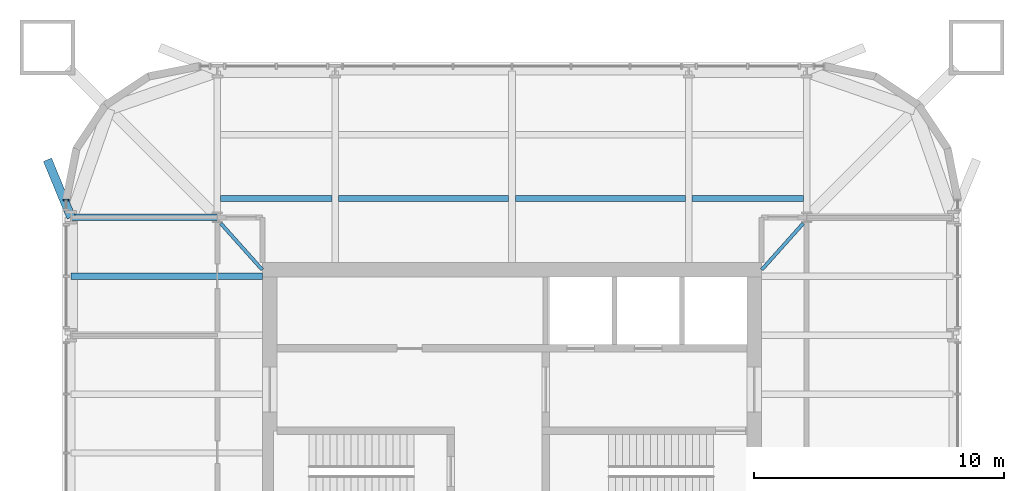
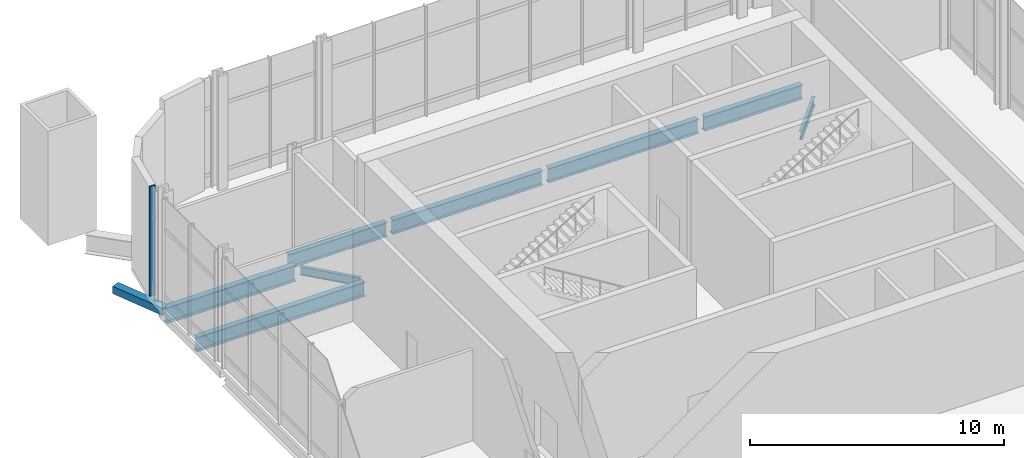
# One storey, part 4 of 17: 9 beams, 1 member, 1 element without a shape of its own.
"""IFC4 building model written with IfcOpenShell, lengths in metres."""

from ifc_helpers import new_model, si_unit, direction, frame, origin, origin_2d, place, context, subcontext, project, spatial, rectangle, hollow_rectangle, i_section, extrude, material, material_profile, profile_set, type_object, element, aggregate, save


model = new_model("IFC4")

# Units and contexts
model_context = context("Model", 3, precision=1e-05, world=origin(), true_north=direction((0.0, 1.0)))
body_context = subcontext(model_context, "Body", "Model", "MODEL_VIEW")
ifc_project = project(units=[si_unit("LENGTHUNIT", "METRE"), si_unit("AREAUNIT", "SQUARE_METRE"), si_unit("VOLUMEUNIT", "CUBIC_METRE"), si_unit("PLANEANGLEUNIT", "RADIAN"), si_unit("MASSUNIT", "GRAM", prefix="KILO")], contexts=[model_context])

# Site, building, storey
site_placement = place(None, origin())
site = spatial("IfcSite", under=ifc_project, at=site_placement, CompositionType="ELEMENT")
building_placement = place(site_placement, origin())
building = spatial("IfcBuilding", under=site, at=building_placement, Name="Turquesa Mirador Hotel Tower", CompositionType="ELEMENT")
storey_placement = place(building_placement, frame((0.0, 0.0, 266.699951171875)))
storey = spatial("IfcBuildingStorey", under=building, at=storey_placement, Name="L72", CompositionType="ELEMENT", Elevation=266.699951171875)

# Beams
ifc_material_1 = material(Name="Steel ASTM A992 Grade 50", Category="steel")
ifc_material_profile_1 = material_profile(ifc_material_1, i_section(OverallWidth=0.140380859375, OverallDepth=0.40380859375, WebThickness=0.007080078125, FlangeThickness=0.01123046875, at=origin_2d()), Name="W16X31")
ifc_profile_set_1 = profile_set([ifc_material_profile_1], Name="Steel ASTM A992 Grade 50")
beam_type_1 = type_object("IfcBeamType", Name="BEAM W16X31", PredefinedType="BEAM", material=ifc_profile_set_1)
for number, where, z_axis, x_axis, name in (
    (1, (66.656494140625, 56.55126953125, -0.371826171875), (-0.666806350186, -0.745231032198, 0.0), (0.745231032198, -0.666806350186, 0.0), "KT-L72-1"),
    (2, (43.343505859375, 56.55126953125, -0.371826171875), (0.666806350186, -0.745231032198, 0.0), (0.745231032198, 0.666806350186, 0.0), "KT-L72-2"),
):
    element("IfcBeam", number, at=place(storey_placement, frame(where, z_axis=z_axis, x_axis=x_axis)), inside=storey, type_object=beam_type_1, Name=name, PredefinedType="BEAM", context=body_context, shape_type="SweptSolid", body=[
        extrude(i_section(OverallWidth=0.140380859375, OverallDepth=0.40380859375, WebThickness=0.007080078125, FlangeThickness=0.01123046875, at=origin_2d()), origin(), (0.0, 0.0, 1.0), 2.484130859375),
    ])
ifc_material_2 = material(Name="Steel ASTM A992 Grade 50", Category="steel")
ifc_material_profile_2 = material_profile(ifc_material_2, i_section(OverallWidth=0.25390625, OverallDepth=0.683349609375, WebThickness=0.012451171875, FlangeThickness=0.018798828125, at=origin_2d()), Name="W27X94")
ifc_profile_set_2 = profile_set([ifc_material_profile_2], Name="Steel ASTM A992 Grade 50")
beam_type_2 = type_object("IfcBeamType", Name="BEAM W27X94", PredefinedType="BEAM", material=ifc_profile_set_2)
beam_1_placement = place(storey_placement, frame((43.333251953125, 57.550048828125, -0.511474609375), z_axis=(1.0, 0.0, 0.0), x_axis=(0.0, 1.0, 0.0)))
element("IfcBeam", 3, at=beam_1_placement, inside=storey, type_object=beam_type_2, Name="IB-L72-N-1-0", PredefinedType="BEAM", context=body_context, shape_type="SweptSolid", body=[
    extrude(i_section(OverallWidth=0.25390625, OverallDepth=0.683349609375, WebThickness=0.012451171875, FlangeThickness=0.018798828125, at=origin_2d()), origin(), (0.0, 0.0, 1.0), 4.453369140625),
])
for number, where, z_axis, x_axis, name in (
    (4, (48.053466796875, 57.550048828125, -0.511474609375), (1.0, 0.0, 0.0), (0.0, 1.0, 0.0), "IB-L72-N-1-1"),
    (5, (55.13330078125, 57.550048828125, -0.511474609375), (1.0, 0.0, 0.0), (0.0, 1.0, 0.0), "IB-L72-N-1-2"),
):
    element("IfcBeam", number, at=place(storey_placement, frame(where, z_axis=z_axis, x_axis=x_axis)), inside=storey, type_object=beam_type_2, Name=name, PredefinedType="BEAM", context=body_context, shape_type="SweptSolid", body=[
        extrude(i_section(OverallWidth=0.25390625, OverallDepth=0.683349609375, WebThickness=0.012451171875, FlangeThickness=0.018798828125, at=origin_2d()), origin(), (0.0, 0.0, 1.0), 6.813232421875),
    ])
beam_2_placement = place(storey_placement, frame((62.21337890625, 57.550048828125, -0.511474609375), z_axis=(1.0, 0.0, 0.0), x_axis=(0.0, 1.0, 0.0)))
element("IfcBeam", 6, at=beam_2_placement, inside=storey, type_object=beam_type_2, Name="IB-L72-N-1-3", PredefinedType="BEAM", context=body_context, shape_type="SweptSolid", body=[
    extrude(i_section(OverallWidth=0.25390625, OverallDepth=0.683349609375, WebThickness=0.012451171875, FlangeThickness=0.018798828125, at=origin_2d()), origin(), (0.0, 0.0, 1.0), 4.453369140625),
])
beam_3_placement = place(storey_placement, frame((37.35009765625, 54.43994140625, -0.511474609375), z_axis=(1.0, 0.0, 0.0), x_axis=(0.0, 1.0, 0.0)))
element("IfcBeam", 7, at=beam_3_placement, inside=storey, type_object=beam_type_2, Name="BM-L72-W-+9.44", PredefinedType="BEAM", context=body_context, shape_type="SweptSolid", body=[
    extrude(i_section(OverallWidth=0.25390625, OverallDepth=0.683349609375, WebThickness=0.012451171875, FlangeThickness=0.018798828125, at=origin_2d()), origin(), (0.0, 0.0, 1.0), 7.64990234375),
])
ifc_material_3 = material(Name="Steel ASTM A992 Grade 50", Category="steel")
ifc_material_profile_3 = material_profile(ifc_material_3, i_section(OverallWidth=0.2666015625, OverallDepth=0.761962890625, WebThickness=0.014404296875, FlangeThickness=0.021484375, at=origin_2d()), Name="W30X116")
ifc_profile_set_3 = profile_set([ifc_material_profile_3], Name="Steel ASTM A992 Grade 50")
beam_type_3 = type_object("IfcBeamType", Name="BEAM W30X116", PredefinedType="BEAM", material=ifc_profile_set_3)
beam_4_placement = place(storey_placement, frame((37.35009765625, 56.800048828125, -0.551025390625), z_axis=(1.0, 0.0, 0.0), x_axis=(0.0, 1.0, 0.0)))
element("IfcBeam", 8, at=beam_4_placement, inside=storey, type_object=beam_type_3, Name="GK-L72-W-+11.80", PredefinedType="BEAM", context=body_context, shape_type="SweptSolid", body=[
    extrude(i_section(OverallWidth=0.2666015625, OverallDepth=0.761962890625, WebThickness=0.014404296875, FlangeThickness=0.021484375, at=origin_2d()), origin(), (0.0, 0.0, 1.0), 5.849853515625),
])
ifc_material_4 = material(Name="Steel ASTM A500 Grade C", Category="steel")
ifc_material_profile_4 = material_profile(ifc_material_4, hollow_rectangle(XDim=0.355712890625, YDim=0.355712890625, WallThickness=0.0146484375, at=origin_2d()), Name="HSS14X14X5/8")
ifc_profile_set_4 = profile_set([ifc_material_profile_4], Name="Steel ASTM A500 Grade C")
beam_type_4 = type_object("IfcBeamType", Name="BRACE STRUT HSS14X14X5/8", PredefinedType="BEAM", material=ifc_profile_set_4)
beam_5_placement = place(storey_placement, frame((36.39990234375, 59.103271484375, -0.34765625), z_axis=(0.381370698887, -0.924422192524, 0.0), x_axis=(0.924422192524, 0.381370698887, 0.0)))
element("IfcBeam", 9, at=beam_5_placement, inside=storey, type_object=beam_type_4, Name="Brace strut", PredefinedType="BEAM", context=body_context, shape_type="SweptSolid", body=[
    extrude(hollow_rectangle(XDim=0.355712890625, YDim=0.355712890625, WallThickness=0.0146484375, at=origin_2d()), origin(), (0.0, 0.0, 1.0), 2.491455078125),
])

# Curtain wall, member
ifc_material_5 = material(Name="Aluminium extrusion", Category="aluminium")
curtain_wall_type = type_object("IfcCurtainWallType", Name="CW-6 OBSERVATION CURTAIN WALL", PredefinedType="USERDEFINED", material=ifc_material_5)
curtain_wall_placement = place(storey_placement, origin())
curtain_wall = element("IfcCurtainWall", 10, at=curtain_wall_placement, inside=storey, type_object=curtain_wall_type, Name="CW-6 OBSERVATION CURTAIN WALL L72", ObjectType="CURTAIN WALL", PredefinedType="USERDEFINED")
ifc_material_6 = material(Name="Aluminium extrusion", Category="aluminium")
ifc_material_profile_5 = material_profile(ifc_material_6, rectangle(XDim=0.06494140625, YDim=0.25, at=origin_2d()), Name="MULLION 65X250")
ifc_profile_set_5 = profile_set([ifc_material_profile_5], Name="Aluminium extrusion")
member_type = type_object("IfcMemberType", Name="CW MULLION 65X250", PredefinedType="MULLION", material=ifc_profile_set_5)
member_placement = place(storey_placement, frame((37.14990234375, 57.5, 0.0), z_axis=(0.0, 0.0, 1.0), x_axis=(0.0, -1.0, 0.0)))
member = element("IfcMember", 11, at=member_placement, type_object=member_type, Name="Mullion", PredefinedType="MULLION", context=body_context, shape_type="SweptSolid", body=[
    extrude(rectangle(XDim=0.06494140625, YDim=0.25, at=origin_2d()), origin(), (0.0, 0.0, 1.0), 5.280029296875),
])
aggregate(curtain_wall, [member])

save(model, "model.ifc")
